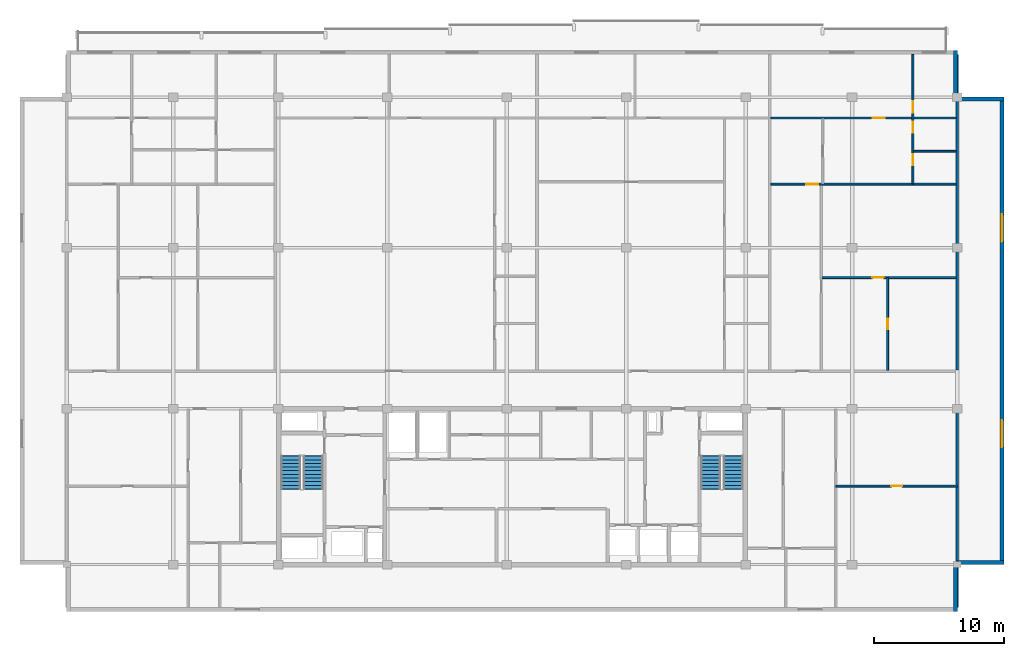
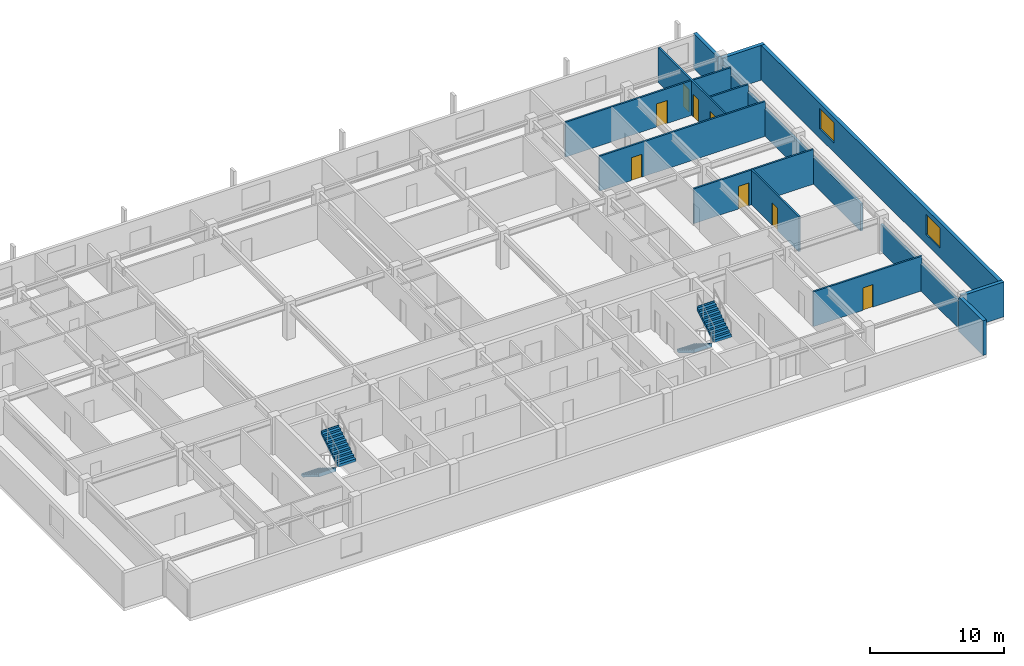
# One storey, part 8 of 10: 14 walls, 8 doors, 4 stair flights, 2 windows, 10 openings, 2 elements without a shape of their own.
"""IFC4 building model written with IfcOpenShell, lengths in metres."""

from ifc_helpers import new_model, si_unit, direction, frame, frame_2d, origin, place, context, subcontext, project, spatial, polyline, rectangle, outline, extrude, material, layer, layer_set, type_object, element, fill, aggregate, save


model = new_model("IFC4")

# Units and contexts
model_context = context("Model", 3, precision=1e-05, world=origin(), true_north=direction((0.0, 1.0)))
body_context = subcontext(model_context, "Body", "Model", "MODEL_VIEW")
ifc_project = project(units=[si_unit("LENGTHUNIT", "METRE"), si_unit("AREAUNIT", "SQUARE_METRE"), si_unit("VOLUMEUNIT", "CUBIC_METRE"), si_unit("PLANEANGLEUNIT", "RADIAN"), si_unit("MASSUNIT", "GRAM", prefix="KILO")], contexts=[model_context])

# Site, building, storey
site_placement = place(None, origin())
site = spatial("IfcSite", under=ifc_project, at=site_placement, CompositionType="ELEMENT")
building_placement = place(site_placement, origin())
building = spatial("IfcBuilding", under=site, at=building_placement, Name="Korimba Cascade Residences", CompositionType="ELEMENT")
storey_placement = place(building_placement, frame((0.0, 0.0, 245.89990234375)))
storey = spatial("IfcBuildingStorey", under=building, at=storey_placement, Name="L71", CompositionType="ELEMENT", Elevation=245.89990234375)

# Walls
ifc_material_1 = material(Name="Precast concrete C40/50", Category="concrete")
ifc_layer_1 = layer(ifc_material_1, 0.300048828125)
ifc_layer_set_1 = layer_set([ifc_layer_1], Name="Precast concrete C40/50")
wall_type_1 = type_object("IfcWallType", Name="EW-STONE-300", PredefinedType="STANDARD", material=ifc_layer_set_1)
wall_1_placement = place(storey_placement, frame((128.25, 51.60009765625, 0.0), z_axis=(0.0, 0.0, 1.0), x_axis=(0.0, 1.0, 0.0)))
element("IfcWall", 1, at=wall_1_placement, inside=storey, type_object=wall_type_1, Name="L71 T1 Perimeter Stone Wall E01", PredefinedType="STANDARD", context=body_context, shape_type="SweptSolid", body=[
    extrude(rectangle(XDim=3.599853515625, YDim=0.300048828125, at=frame_2d((1.7998046875, 0.0))), origin(), (0.0, 0.0, 1.0), 3.170166015625),
])
wall_2_placement = place(storey_placement, frame((128.39990234375, 55.35009765625, 0.0), z_axis=(0.0, 0.0, 1.0), x_axis=(1.0, 0.0, 0.0)))
element("IfcWall", 2, at=wall_2_placement, inside=storey, type_object=wall_type_1, Name="L71 T1 Perimeter Stone Wall E02", PredefinedType="STANDARD", context=body_context, shape_type="SweptSolid", body=[
    extrude(rectangle(XDim=3.60009765625, YDim=0.300048828125, at=frame_2d((1.800048828125, 0.0))), origin(), (0.0, 0.0, 1.0), 3.170166015625),
])

# Wall, openings, windows
wall_3_placement = place(storey_placement, frame((131.85009765625, 55.199951171875, 0.0), z_axis=(0.0, 0.0, 1.0), x_axis=(0.0, 1.0, 0.0)))
wall_3 = element("IfcWall", 3, at=wall_3_placement, inside=storey, type_object=wall_type_1, Name="L71 T1 Perimeter Stone Wall E03", PredefinedType="STANDARD", context=body_context, shape_type="SweptSolid", body=[
    extrude(rectangle(XDim=36.0, YDim=0.300048828125, at=frame_2d((18.0, 0.0))), origin(), (0.0, 0.0, 1.0), 3.170166015625),
])
opening_1_placement = place(wall_3_placement, frame((9.030029296875, 0.0, 0.85009765625)))
opening_1 = element("IfcOpeningElement", 4, at=opening_1_placement, cuts=wall_3, Name="Opening W-03", PredefinedType="OPENING", context=body_context, shape_type="SweptSolid", body=[
    extrude(rectangle(XDim=2.10009765625, YDim=1.85009765625, at=frame_2d((1.050048828125, 0.925048828125))), frame((0.0, 0.16015625, 0.0), z_axis=(0.0, -1.0, 0.0), x_axis=(1.0, 0.0, 0.0)), (0.0, 0.0, 1.0), 0.320068359375),
])
opening_2_placement = place(wall_3_placement, frame((24.8701171875, 0.0, 0.85009765625)))
opening_2 = element("IfcOpeningElement", 5, at=opening_2_placement, cuts=wall_3, Name="Opening W-03", PredefinedType="OPENING", context=body_context, shape_type="SweptSolid", body=[
    extrude(rectangle(XDim=2.10009765625, YDim=1.85009765625, at=frame_2d((1.050048828125, 0.925048828125))), frame((0.0, 0.16015625, 0.0), z_axis=(0.0, -1.0, 0.0), x_axis=(1.0, 0.0, 0.0)), (0.0, 0.0, 1.0), 0.320068359375),
])
ifc_material_2 = material(Name="Double-Glazed Aluminium Window", Category="aluminium")
window_type = type_object("IfcWindowType", Name="WIN-CRN-2100", PartitioningType="DOUBLE_PANEL_HORIZONTAL", PredefinedType="WINDOW", material=ifc_material_2)
window_1_placement = place(opening_1_placement, origin())
window_1 = element("IfcWindow", 6, at=window_1_placement, inside=storey, type_object=window_type, Name="L71 T1 End View Window 3.1", OverallHeight=1.85009765625, OverallWidth=2.10009765625, PartitioningType="DOUBLE_PANEL_HORIZONTAL", PredefinedType="WINDOW", context=body_context, shape_type="SweptSolid", body=[
    extrude(rectangle(XDim=2.10009765625, YDim=1.85009765625, at=frame_2d((1.050048828125, 0.925048828125))), frame((0.0, 0.030029296875, 0.0), z_axis=(0.0, -1.0, 0.0), x_axis=(1.0, 0.0, 0.0)), (0.0, 0.0, 1.0), 0.06005859375),
])
fill(opening_1, window_1)
window_2_placement = place(opening_2_placement, origin())
window_2 = element("IfcWindow", 7, at=window_2_placement, inside=storey, type_object=window_type, Name="L71 T1 End View Window 3.2", OverallHeight=1.85009765625, OverallWidth=2.10009765625, PartitioningType="DOUBLE_PANEL_HORIZONTAL", PredefinedType="WINDOW", context=body_context, shape_type="SweptSolid", body=[
    extrude(rectangle(XDim=2.10009765625, YDim=1.85009765625, at=frame_2d((1.050048828125, 0.925048828125))), frame((0.0, 0.030029296875, 0.0), z_axis=(0.0, -1.0, 0.0), x_axis=(1.0, 0.0, 0.0)), (0.0, 0.0, 1.0), 0.06005859375),
])
fill(opening_2, window_2)

# Walls
for number, where, z_axis, x_axis, name in (
    (8, (132.0, 91.050048828125, 0.0), (0.0, 0.0, 1.0), (-1.0, 0.0, 0.0), "L71 T1 Perimeter Stone Wall E04"),
    (9, (128.25, 91.199951171875, 0.0), (0.0, 0.0, 1.0), (0.0, 1.0, 0.0), "L71 T1 Perimeter Stone Wall E05"),
):
    element("IfcWall", number, at=place(storey_placement, frame(where, z_axis=z_axis, x_axis=x_axis)), inside=storey, type_object=wall_type_1, Name=name, PredefinedType="STANDARD", context=body_context, shape_type="SweptSolid", body=[
        extrude(rectangle(XDim=3.60009765625, YDim=0.300048828125, at=frame_2d((1.800048828125, 0.0))), origin(), (0.0, 0.0, 1.0), 3.170166015625),
    ])
ifc_layer_2 = layer(ifc_material_1, 0.199951171875)
ifc_layer_set_2 = layer_set([ifc_layer_2], Name="Precast concrete C40/50")
wall_type_2 = type_object("IfcWallType", Name="WAL-IT-200", PredefinedType="PARTITIONING", material=ifc_layer_set_2)
wall_4_placement = place(storey_placement, frame((128.39990234375, 51.89990234375, 0.0), z_axis=(0.0, 0.0, 1.0), x_axis=(0.0, 1.0, 0.0)))
element("IfcWall", 10, at=wall_4_placement, inside=storey, type_object=wall_type_2, Name="L71 Partition Wall WAL-L71-T1-FE-WR", PredefinedType="PARTITIONING", context=body_context, shape_type="SweptSolid", body=[
    extrude(rectangle(XDim=15.300048828125, YDim=0.199951171875, at=frame_2d((7.64990234375, 0.0))), origin(), (0.0, 0.0, 1.0), 2.477294921875),
])
wall_5_placement = place(storey_placement, frame((128.39990234375, 70.179931640625, 0.0), z_axis=(0.0, 0.0, 1.0), x_axis=(0.0, 1.0, 0.0)))
element("IfcWall", 11, at=wall_5_placement, inside=storey, type_object=wall_type_2, Name="L71 Partition Wall WAL-L71-T1-BNDWR", PredefinedType="PARTITIONING", context=body_context, shape_type="SweptSolid", body=[
    extrude(rectangle(XDim=24.320068359375, YDim=0.199951171875, at=frame_2d((12.16015625, 0.0))), origin(), (0.0, 0.0, 1.0), 2.477294921875),
])

# Wall, opening, door
ifc_material_3 = material(Name="Insulated Acoustic Stud Partition", Category="gypsum")
ifc_layer_3 = layer(ifc_material_3, 0.14990234375)
ifc_layer_set_3 = layer_set([ifc_layer_3], Name="Insulated Acoustic Stud Partition")
wall_type_3 = type_object("IfcWallType", Name="WAL-PART-150", PredefinedType="PARTITIONING", material=ifc_layer_set_3)
wall_6_placement = place(storey_placement, frame((119.050048828125, 61.25, 0.0), z_axis=(0.0, 0.0, 1.0), x_axis=(1.0, 0.0, 0.0)))
wall_6 = element("IfcWall", 12, at=wall_6_placement, inside=storey, type_object=wall_type_3, Name="L71 Partition Wall WAL-L71-T1-FE-STH", PredefinedType="PARTITIONING", context=body_context, shape_type="SweptSolid", body=[
    extrude(rectangle(XDim=9.349853515625, YDim=0.14990234375, at=frame_2d((4.6748046875, 0.0))), origin(), (0.0, 0.0, 1.0), 3.170166015625),
])
opening_3_placement = place(wall_6_placement, frame((4.2548828125, 0.0, 0.0)))
opening_3 = element("IfcOpeningElement", 13, at=opening_3_placement, cuts=wall_6, Name="Opening D-BT1", PredefinedType="OPENING", context=body_context, shape_type="SweptSolid", body=[
    extrude(rectangle(XDim=0.840087890625, YDim=2.0400390625, at=frame_2d((0.419921875, 1.02001953125))), frame((0.0, 0.0849609375, 0.0), z_axis=(0.0, -1.0, 0.0), x_axis=(1.0, 0.0, 0.0)), (0.0, 0.0, 1.0), 0.169921875),
])
ifc_material_4 = material(Name="Moisture-Resistant Bathroom Timber Door", Category="wood")
door_type_1 = type_object("IfcDoorType", Name="DR-INT-850", OperationType="NOTDEFINED", PredefinedType="DOOR", material=ifc_material_4)
door_1_placement = place(opening_3_placement, origin())
door_1 = element("IfcDoor", 14, at=door_1_placement, inside=storey, type_object=door_type_1, Name="L71-T1-FE Dressing Store Door", OperationType="SINGLE_SWING_RIGHT", OverallHeight=2.0400390625, OverallWidth=0.840087890625, PredefinedType="DOOR", context=body_context, shape_type="SweptSolid", body=[
    extrude(rectangle(XDim=0.840087890625, YDim=2.0400390625, at=frame_2d((0.419921875, 1.02001953125))), frame((0.0, 0.02490234375, 0.0), z_axis=(0.0, -1.0, 0.0), x_axis=(1.0, 0.0, 0.0)), (0.0, 0.0, 1.0), 0.050048828125),
])
fill(opening_3, door_1)

wall_7_placement = place(storey_placement, frame((123.039306640625, 70.159912109375, 0.0), z_axis=(0.0, 0.0, 1.0), x_axis=(0.0, 1.0, 0.0)))
wall_7 = element("IfcWall", 15, at=wall_7_placement, inside=storey, type_object=wall_type_3, Name="L71 Partition Wall WAL-L71-T1-U04-FMV", PredefinedType="PARTITIONING", context=body_context, shape_type="SweptSolid", body=[
    extrude(rectangle(XDim=7.150146484375, YDim=0.14990234375, at=frame_2d((3.5751953125, 0.0))), origin(), (0.0, 0.0, 1.0), 3.170166015625),
])
opening_4_placement = place(wall_7_placement, frame((3.155029296875, 0.0, 0.0)))
opening_4 = element("IfcOpeningElement", 16, at=opening_4_placement, cuts=wall_7, Name="Opening D-BT1", PredefinedType="OPENING", context=body_context, shape_type="SweptSolid", body=[
    extrude(rectangle(XDim=0.840087890625, YDim=2.0400390625, at=frame_2d((0.419921875, 1.02001953125))), frame((0.0, 0.0849609375, 0.0), z_axis=(0.0, -1.0, 0.0), x_axis=(1.0, 0.0, 0.0)), (0.0, 0.0, 1.0), 0.169921875),
])
door_2_placement = place(opening_4_placement, origin())
door_2 = element("IfcDoor", 17, at=door_2_placement, inside=storey, type_object=door_type_1, Name="L71-T1-U04 Wardrobe Door", OperationType="SINGLE_SWING_RIGHT", OverallHeight=2.0400390625, OverallWidth=0.840087890625, PredefinedType="DOOR", context=body_context, shape_type="SweptSolid", body=[
    extrude(rectangle(XDim=0.840087890625, YDim=2.0400390625, at=frame_2d((0.419921875, 1.02001953125))), frame((0.0, 0.02490234375, 0.0), z_axis=(0.0, -1.0, 0.0), x_axis=(1.0, 0.0, 0.0)), (0.0, 0.0, 1.0), 0.050048828125),
])
fill(opening_4, door_2)

wall_8_placement = place(storey_placement, frame((117.998779296875, 77.31005859375, 0.0), z_axis=(0.0, 0.0, 1.0), x_axis=(1.0, 0.0, 0.0)))
wall_8 = element("IfcWall", 18, at=wall_8_placement, inside=storey, type_object=wall_type_3, Name="L71 Partition Wall WAL-L71-T1-U04-FMH", PredefinedType="PARTITIONING", context=body_context, shape_type="SweptSolid", body=[
    extrude(rectangle(XDim=10.3212890625, YDim=0.14990234375, at=frame_2d((5.16064453125, 0.0))), origin(), (0.0, 0.0, 1.0), 3.170166015625),
])
opening_5_placement = place(wall_8_placement, frame((3.868896484375, 0.0, 0.0)))
opening_5 = element("IfcOpeningElement", 19, at=opening_5_placement, cuts=wall_8, Name="Opening D-IN2", PredefinedType="OPENING", context=body_context, shape_type="SweptSolid", body=[
    extrude(rectangle(XDim=0.8798828125, YDim=2.06005859375, at=frame_2d((0.43994140625, 1.030029296875))), frame((0.0, 0.0849609375, 0.0), z_axis=(0.0, -1.0, 0.0), x_axis=(1.0, 0.0, 0.0)), (0.0, 0.0, 1.0), 0.169921875),
])
ifc_material_5 = material(Name="Acoustic Timber Bedroom Door", Category="wood")
door_type_2 = type_object("IfcDoorType", Name="DR-INT-880", OperationType="NOTDEFINED", PredefinedType="DOOR", material=ifc_material_5)
door_3_placement = place(opening_5_placement, origin())
door_3 = element("IfcDoor", 20, at=door_3_placement, inside=storey, type_object=door_type_2, Name="L71-T1-U04 Library Salon Door", OperationType="SINGLE_SWING_LEFT", OverallHeight=2.06005859375, OverallWidth=0.8798828125, PredefinedType="DOOR", context=body_context, shape_type="SweptSolid", body=[
    extrude(rectangle(XDim=0.8798828125, YDim=2.06005859375, at=frame_2d((0.43994140625, 1.030029296875))), frame((0.0, 0.02490234375, 0.0), z_axis=(0.0, -1.0, 0.0), x_axis=(1.0, 0.0, 0.0)), (0.0, 0.0, 1.0), 0.050048828125),
])
fill(opening_5, door_3)

# Wall
wall_9_placement = place(storey_placement, frame((125.0400390625, 87.0400390625, 0.0), z_axis=(0.0, 0.0, 1.0), x_axis=(1.0, 0.0, 0.0)))
element("IfcWall", 21, at=wall_9_placement, inside=storey, type_object=wall_type_3, Name="L71 Partition Wall WAL-L71-T1-U04-BLDIV", PredefinedType="PARTITIONING", context=body_context, shape_type="SweptSolid", body=[
    extrude(rectangle(XDim=3.280029296875, YDim=0.14990234375, at=frame_2d((1.64013671875, 0.0))), origin(), (0.0, 0.0, 1.0), 3.170166015625),
])

# Wall, openings, doors
wall_10_placement = place(storey_placement, frame((124.97998046875, 84.5400390625, 0.0), z_axis=(0.0, 0.0, 1.0), x_axis=(0.0, 1.0, 0.0)))
wall_10 = element("IfcWall", 22, at=wall_10_placement, inside=storey, type_object=wall_type_3, Name="L71 Partition Wall WAL-L71-T1-U04-V1", PredefinedType="PARTITIONING", context=body_context, shape_type="SweptSolid", body=[
    extrude(rectangle(XDim=9.9599609375, YDim=0.14990234375, at=frame_2d((4.97998046875, 0.0))), origin(), (0.0, 0.0, 1.0), 3.170166015625),
])
opening_6_placement = place(wall_10_placement, frame((1.430419921875, 0.0, 0.0)))
opening_6 = element("IfcOpeningElement", 23, at=opening_6_placement, cuts=wall_10, Name="Opening D-BT1", PredefinedType="OPENING", context=body_context, shape_type="SweptSolid", body=[
    extrude(rectangle(XDim=0.840087890625, YDim=2.0400390625, at=frame_2d((0.419921875, 1.02001953125))), frame((0.0, 0.0849609375, 0.0), z_axis=(0.0, -1.0, 0.0), x_axis=(1.0, 0.0, 0.0)), (0.0, 0.0, 1.0), 0.169921875),
])
opening_7_placement = place(wall_10_placement, frame((3.919921875, 0.0, 0.0)))
opening_7 = element("IfcOpeningElement", 24, at=opening_7_placement, cuts=wall_10, Name="Opening D-BT1", PredefinedType="OPENING", context=body_context, shape_type="SweptSolid", body=[
    extrude(rectangle(XDim=0.840087890625, YDim=2.0400390625, at=frame_2d((0.419921875, 1.02001953125))), frame((0.0, 0.0849609375, 0.0), z_axis=(0.0, -1.0, 0.0), x_axis=(1.0, 0.0, 0.0)), (0.0, 0.0, 1.0), 0.169921875),
])
opening_8_placement = place(wall_10_placement, frame((5.47998046875, 0.0, 0.0)))
opening_8 = element("IfcOpeningElement", 25, at=opening_8_placement, cuts=wall_10, Name="Opening D-IN2", PredefinedType="OPENING", context=body_context, shape_type="SweptSolid", body=[
    extrude(rectangle(XDim=0.8798828125, YDim=2.06005859375, at=frame_2d((0.43994140625, 1.030029296875))), frame((0.0, 0.0849609375, 0.0), z_axis=(0.0, -1.0, 0.0), x_axis=(1.0, 0.0, 0.0)), (0.0, 0.0, 1.0), 0.169921875),
])
door_4_placement = place(opening_6_placement, origin())
door_4 = element("IfcDoor", 26, at=door_4_placement, inside=storey, type_object=door_type_1, Name="L71-T1-U04 Bathroom Door", OperationType="SINGLE_SWING_RIGHT", OverallHeight=2.0400390625, OverallWidth=0.840087890625, PredefinedType="DOOR", context=body_context, shape_type="SweptSolid", body=[
    extrude(rectangle(XDim=0.840087890625, YDim=2.0400390625, at=frame_2d((0.419921875, 1.02001953125))), frame((0.0, 0.02490234375, 0.0), z_axis=(0.0, -1.0, 0.0), x_axis=(1.0, 0.0, 0.0)), (0.0, 0.0, 1.0), 0.050048828125),
])
fill(opening_6, door_4)
door_5_placement = place(opening_7_placement, origin())
door_5 = element("IfcDoor", 27, at=door_5_placement, inside=storey, type_object=door_type_1, Name="L71-T1-U04 Laundry Door", OperationType="SINGLE_SWING_LEFT", OverallHeight=2.0400390625, OverallWidth=0.840087890625, PredefinedType="DOOR", context=body_context, shape_type="SweptSolid", body=[
    extrude(rectangle(XDim=0.840087890625, YDim=2.0400390625, at=frame_2d((0.419921875, 1.02001953125))), frame((0.0, 0.02490234375, 0.0), z_axis=(0.0, -1.0, 0.0), x_axis=(1.0, 0.0, 0.0)), (0.0, 0.0, 1.0), 0.050048828125),
])
fill(opening_7, door_5)
door_6_placement = place(opening_8_placement, origin())
door_6 = element("IfcDoor", 28, at=door_6_placement, inside=storey, type_object=door_type_2, Name="L71-T1-U04 Bedroom 1 Door", OperationType="SINGLE_SWING_RIGHT", OverallHeight=2.06005859375, OverallWidth=0.8798828125, PredefinedType="DOOR", context=body_context, shape_type="SweptSolid", body=[
    extrude(rectangle(XDim=0.8798828125, YDim=2.06005859375, at=frame_2d((0.43994140625, 1.030029296875))), frame((0.0, 0.02490234375, 0.0), z_axis=(0.0, -1.0, 0.0), x_axis=(1.0, 0.0, 0.0)), (0.0, 0.0, 1.0), 0.050048828125),
])
fill(opening_8, door_6)

# Wall, opening, door
wall_11_placement = place(storey_placement, frame((114.048828125, 84.5, 0.0), z_axis=(0.0, 0.0, 1.0), x_axis=(1.0, 0.0, 0.0)))
wall_11 = element("IfcWall", 29, at=wall_11_placement, inside=storey, type_object=wall_type_3, Name="L71 Partition Wall WAL-L71-T1-U04-MW", PredefinedType="PARTITIONING", context=body_context, shape_type="SweptSolid", body=[
    extrude(rectangle(XDim=14.271240234375, YDim=0.14990234375, at=frame_2d((7.1357421875, 0.0))), origin(), (0.0, 0.0, 1.0), 3.170166015625),
])
opening_9_placement = place(wall_11_placement, frame((2.719970703125, 0.0, 0.0)))
opening_9 = element("IfcOpeningElement", 30, at=opening_9_placement, cuts=wall_11, Name="Opening D-IN1", PredefinedType="OPENING", context=body_context, shape_type="SweptSolid", body=[
    extrude(rectangle(XDim=0.919921875, YDim=2.080078125, at=frame_2d((0.4599609375, 1.0400390625))), frame((0.0, 0.0849609375, 0.0), z_axis=(0.0, -1.0, 0.0), x_axis=(1.0, 0.0, 0.0)), (0.0, 0.0, 1.0), 0.169921875),
])
ifc_material_6 = material(Name="Acoustic Timber Living Door", Category="wood")
door_type_3 = type_object("IfcDoorType", Name="DR-INT-920", OperationType="NOTDEFINED", PredefinedType="DOOR", material=ifc_material_6)
door_7_placement = place(opening_9_placement, origin())
door_7 = element("IfcDoor", 31, at=door_7_placement, inside=storey, type_object=door_type_3, Name="L71-T1-U04 Kitchen Archway Door", OperationType="SINGLE_SWING_LEFT", OverallHeight=2.080078125, OverallWidth=0.919921875, PredefinedType="DOOR", context=body_context, shape_type="SweptSolid", body=[
    extrude(rectangle(XDim=0.919921875, YDim=2.080078125, at=frame_2d((0.4599609375, 1.0400390625))), frame((0.0, 0.02490234375, 0.0), z_axis=(0.0, -1.0, 0.0), x_axis=(1.0, 0.0, 0.0)), (0.0, 0.0, 1.0), 0.050048828125),
])
fill(opening_9, door_7)

wall_12_placement = place(storey_placement, frame((114.048828125, 89.60009765625, 0.0), z_axis=(0.0, 0.0, 1.0), x_axis=(1.0, 0.0, 0.0)))
wall_12 = element("IfcWall", 32, at=wall_12_placement, inside=storey, type_object=wall_type_3, Name="L71 Partition Wall WAL-L71-T1-U04-HZ", PredefinedType="PARTITIONING", context=body_context, shape_type="SweptSolid", body=[
    extrude(rectangle(XDim=14.271240234375, YDim=0.14990234375, at=frame_2d((7.1357421875, 0.0))), origin(), (0.0, 0.0, 1.0), 3.170166015625),
])
opening_10_placement = place(wall_12_placement, frame((7.843017578125, 0.0, 0.0)))
opening_10 = element("IfcOpeningElement", 33, at=opening_10_placement, cuts=wall_12, Name="Opening D-IN0", PredefinedType="OPENING", context=body_context, shape_type="SweptSolid", body=[
    extrude(rectangle(XDim=0.93994140625, YDim=2.10009765625, at=frame_2d((0.469970703125, 1.050048828125))), frame((0.0, 0.0849609375, 0.0), z_axis=(0.0, -1.0, 0.0), x_axis=(1.0, 0.0, 0.0)), (0.0, 0.0, 1.0), 0.169921875),
])
ifc_material_7 = material(Name="Acoustic Timber Living Archway Door", Category="wood")
door_type_4 = type_object("IfcDoorType", Name="DR-INT-950", OperationType="NOTDEFINED", PredefinedType="DOOR", material=ifc_material_7)
door_8_placement = place(opening_10_placement, origin())
door_8 = element("IfcDoor", 34, at=door_8_placement, inside=storey, type_object=door_type_4, Name="L71-T1-U04 Living Archway Door", OperationType="SINGLE_SWING_RIGHT", OverallHeight=2.10009765625, OverallWidth=0.93994140625, PredefinedType="DOOR", context=body_context, shape_type="SweptSolid", body=[
    extrude(rectangle(XDim=0.93994140625, YDim=2.10009765625, at=frame_2d((0.469970703125, 1.050048828125))), frame((0.0, 0.02490234375, 0.0), z_axis=(0.0, -1.0, 0.0), x_axis=(1.0, 0.0, 0.0)), (0.0, 0.0, 1.0), 0.050048828125),
])
fill(opening_10, door_8)

# Stair, stair flights
ifc_material_8 = material(Name="Concrete C50/60", Category="concrete")
stair_type_1 = type_object("IfcStairType", Name="STR-W1-20R-1725", PredefinedType="HALF_TURN_STAIR", material=ifc_material_8)
stair_1_placement = place(storey_placement, origin())
stair_1 = element("IfcStair", 35, at=stair_1_placement, inside=storey, type_object=stair_type_1, Name="L71 Tower 1 West Fire Stair ST-W1", PredefinedType="HALF_TURN_STAIR")
stair_flight_type = type_object("IfcStairFlightType", Name="STF-DL-20R-1725-1520", PredefinedType="STRAIGHT", material=ifc_material_8)
stair_flight_1_placement = place(storey_placement, frame((77.06005859375, 63.550048828125, 0.0), z_axis=(0.0, 0.0, 1.0), x_axis=(0.0, -1.0, 0.0)))
stair_flight_1 = element("IfcStairFlight", 36, at=stair_flight_1_placement, type_object=stair_flight_type, Name="ST-W1 flight 1", NumberOfRisers=10, NumberOfTreads=9, PredefinedType="STRAIGHT", RiserHeight=0.1725, TreadLength=0.28, context=body_context, shape_type="SweptSolid", body=[
    extrude(outline(polyline([(-0.0380859375, 0.0), (0.0, 0.172607421875), (0.280029296875, 0.172607421875), (0.280029296875, 0.344970703125), (0.56005859375, 0.344970703125), (0.56005859375, 0.517578125), (0.840087890625, 0.517578125), (0.840087890625, 0.68994140625), (1.1201171875, 0.68994140625), (1.1201171875, 0.862548828125), (1.39990234375, 0.862548828125), (1.39990234375, 1.034912109375), (1.679931640625, 1.034912109375), (1.679931640625, 1.20751953125), (1.9599609375, 1.20751953125), (1.9599609375, 1.3798828125), (2.239990234375, 1.3798828125), (2.239990234375, 1.552490234375), (2.52001953125, 1.552490234375), (2.52001953125, 1.72509765625), (2.55810546875, 1.72509765625), (2.55810546875, 1.37646484375), (0.285888671875, 0.0), (0.285888671875, -0.0380859375), (-0.0380859375, -0.0380859375), (-0.0380859375, 0.0)])), frame((0.0, 0.760009765625, 0.0), z_axis=(0.0, -1.0, 0.0), x_axis=(1.0, 0.0, 0.0)), (0.0, 0.0, 1.0), 1.52001953125),
])
stair_flight_2_placement = place(storey_placement, frame((78.780029296875, 61.030029296875, 1.72509765625), z_axis=(0.0, 0.0, 1.0), x_axis=(0.0, 1.0, 0.0)))
stair_flight_2 = element("IfcStairFlight", 37, at=stair_flight_2_placement, type_object=stair_flight_type, Name="ST-W1 flight 2", NumberOfRisers=10, NumberOfTreads=9, PredefinedType="STRAIGHT", RiserHeight=0.1725, TreadLength=0.28, context=body_context, shape_type="SweptSolid", body=[
    extrude(outline(polyline([(-0.0380859375, 0.0), (0.0, 0.172607421875), (0.280029296875, 0.172607421875), (0.280029296875, 0.344970703125), (0.56005859375, 0.344970703125), (0.56005859375, 0.517578125), (0.840087890625, 0.517578125), (0.840087890625, 0.68994140625), (1.1201171875, 0.68994140625), (1.1201171875, 0.862548828125), (1.39990234375, 0.862548828125), (1.39990234375, 1.034912109375), (1.679931640625, 1.034912109375), (1.679931640625, 1.20751953125), (1.9599609375, 1.20751953125), (1.9599609375, 1.3798828125), (2.239990234375, 1.3798828125), (2.239990234375, 1.552490234375), (2.52001953125, 1.552490234375), (2.52001953125, 1.72509765625), (2.55810546875, 1.72509765625), (2.55810546875, 1.37646484375), (0.285888671875, 0.0), (0.285888671875, -0.0380859375), (-0.0380859375, -0.0380859375), (-0.0380859375, 0.0)])), frame((0.0, 0.760009765625, 0.0), z_axis=(0.0, -1.0, 0.0), x_axis=(1.0, 0.0, 0.0)), (0.0, 0.0, 1.0), 1.52001953125),
])
aggregate(stair_1, [stair_flight_1, stair_flight_2])

stair_type_2 = type_object("IfcStairType", Name="STR-W2-20R-1725", PredefinedType="HALF_TURN_STAIR", material=ifc_material_8)
stair_2_placement = place(storey_placement, origin())
stair_2 = element("IfcStair", 38, at=stair_2_placement, inside=storey, type_object=stair_type_2, Name="L71 Tower 1 East Fire Stair ST-W2", PredefinedType="HALF_TURN_STAIR")
stair_flight_3_placement = place(storey_placement, frame((109.419921875, 63.550048828125, 0.0), z_axis=(0.0, 0.0, 1.0), x_axis=(0.0, -1.0, 0.0)))
stair_flight_3 = element("IfcStairFlight", 39, at=stair_flight_3_placement, type_object=stair_flight_type, Name="ST-W2 flight 1", NumberOfRisers=10, NumberOfTreads=9, PredefinedType="STRAIGHT", RiserHeight=0.1725, TreadLength=0.28, context=body_context, shape_type="SweptSolid", body=[
    extrude(outline(polyline([(-0.0380859375, 0.0), (0.0, 0.172607421875), (0.280029296875, 0.172607421875), (0.280029296875, 0.344970703125), (0.56005859375, 0.344970703125), (0.56005859375, 0.517578125), (0.840087890625, 0.517578125), (0.840087890625, 0.68994140625), (1.1201171875, 0.68994140625), (1.1201171875, 0.862548828125), (1.39990234375, 0.862548828125), (1.39990234375, 1.034912109375), (1.679931640625, 1.034912109375), (1.679931640625, 1.20751953125), (1.9599609375, 1.20751953125), (1.9599609375, 1.3798828125), (2.239990234375, 1.3798828125), (2.239990234375, 1.552490234375), (2.52001953125, 1.552490234375), (2.52001953125, 1.72509765625), (2.55810546875, 1.72509765625), (2.55810546875, 1.37646484375), (0.285888671875, 0.0), (0.285888671875, -0.0380859375), (-0.0380859375, -0.0380859375), (-0.0380859375, 0.0)])), frame((0.0, 0.760009765625, 0.0), z_axis=(0.0, -1.0, 0.0), x_axis=(1.0, 0.0, 0.0)), (0.0, 0.0, 1.0), 1.52001953125),
])
stair_flight_4_placement = place(storey_placement, frame((111.139892578125, 61.030029296875, 1.72509765625), z_axis=(0.0, 0.0, 1.0), x_axis=(0.0, 1.0, 0.0)))
stair_flight_4 = element("IfcStairFlight", 40, at=stair_flight_4_placement, type_object=stair_flight_type, Name="ST-W2 flight 2", NumberOfRisers=10, NumberOfTreads=9, PredefinedType="STRAIGHT", RiserHeight=0.1725, TreadLength=0.28, context=body_context, shape_type="SweptSolid", body=[
    extrude(outline(polyline([(-0.0380859375, 0.0), (0.0, 0.172607421875), (0.280029296875, 0.172607421875), (0.280029296875, 0.344970703125), (0.56005859375, 0.344970703125), (0.56005859375, 0.517578125), (0.840087890625, 0.517578125), (0.840087890625, 0.68994140625), (1.1201171875, 0.68994140625), (1.1201171875, 0.862548828125), (1.39990234375, 0.862548828125), (1.39990234375, 1.034912109375), (1.679931640625, 1.034912109375), (1.679931640625, 1.20751953125), (1.9599609375, 1.20751953125), (1.9599609375, 1.3798828125), (2.239990234375, 1.3798828125), (2.239990234375, 1.552490234375), (2.52001953125, 1.552490234375), (2.52001953125, 1.72509765625), (2.55810546875, 1.72509765625), (2.55810546875, 1.37646484375), (0.285888671875, 0.0), (0.285888671875, -0.0380859375), (-0.0380859375, -0.0380859375), (-0.0380859375, 0.0)])), frame((0.0, 0.760009765625, 0.0), z_axis=(0.0, -1.0, 0.0), x_axis=(1.0, 0.0, 0.0)), (0.0, 0.0, 1.0), 1.52001953125),
])
aggregate(stair_2, [stair_flight_3, stair_flight_4])

save(model, "model.ifc")
